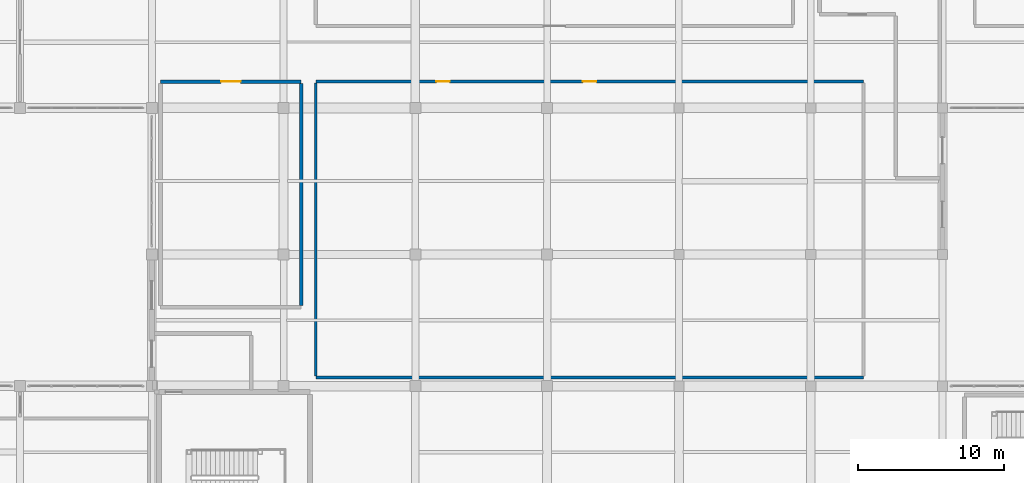
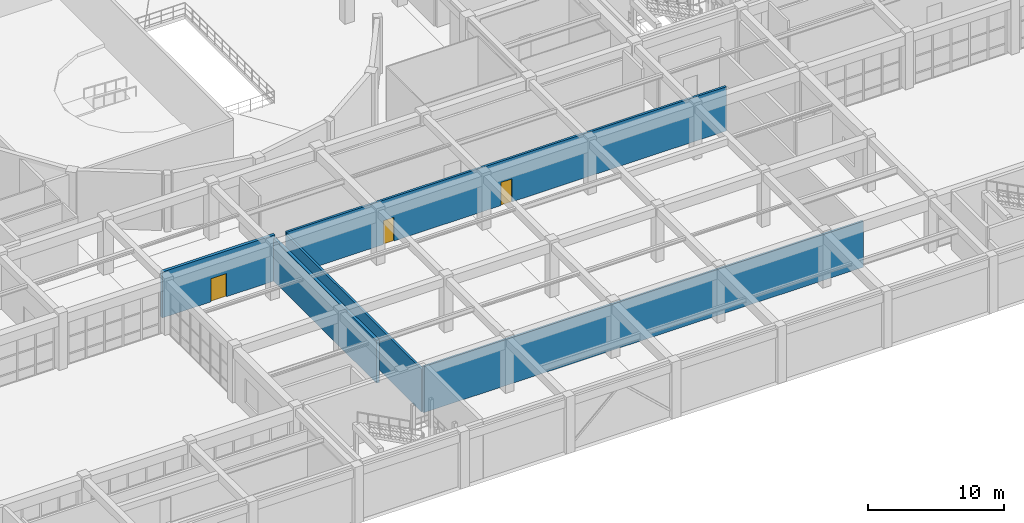
# One storey, part 103 of 128: 5 walls, 3 doors, 3 openings.
"""IFC4 building model written with IfcOpenShell, lengths in metres."""

from ifc_helpers import new_model, si_unit, direction, frame, frame_2d, origin, place, context, subcontext, project, spatial, rectangle, extrude, material, layer, layer_set, type_object, element, fill, save


model = new_model("IFC4")

# Units and contexts
model_context = context("Model", 3, precision=1e-05, world=origin(), true_north=direction((0.0, 1.0)))
body_context = subcontext(model_context, "Body", "Model", "MODEL_VIEW")
ifc_project = project(units=[si_unit("LENGTHUNIT", "METRE"), si_unit("AREAUNIT", "SQUARE_METRE"), si_unit("VOLUMEUNIT", "CUBIC_METRE"), si_unit("PLANEANGLEUNIT", "RADIAN"), si_unit("MASSUNIT", "GRAM", prefix="KILO")], contexts=[model_context])

# Site, building, storey
site_placement = place(None, origin())
site = spatial("IfcSite", under=ifc_project, at=site_placement, CompositionType="ELEMENT")
building_placement = place(site_placement, origin())
building = spatial("IfcBuilding", under=site, at=building_placement, Name="Miravela Opera House", CompositionType="ELEMENT")
storey_placement = place(building_placement, origin())
storey = spatial("IfcBuildingStorey", under=building, at=storey_placement, Name="L00", CompositionType="ELEMENT", Elevation=0.0)

# Wall
ifc_material_1 = material(Name="Corridor fire-resisting masonry partition", Category="masonry")
ifc_layer_1 = layer(ifc_material_1, 0.18994140625)
ifc_layer_set_1 = layer_set([ifc_layer_1])
wall_type_1 = type_object("IfcWallType", Name="ARC-PT-190", PredefinedType="PARTITIONING", material=ifc_layer_set_1)
wall_1_placement = place(storey_placement, frame((74.199951171875, 9.60009765625, 0.0), z_axis=(0.0, 0.0, 1.0), x_axis=(1.0, 0.0, 0.0)))
element("IfcWall", 1, at=wall_1_placement, inside=storey, type_object=wall_type_1, Name="Scenery Assembly Workshop Partition South", PredefinedType="PARTITIONING", context=body_context, shape_type="SweptSolid", body=[
    extrude(rectangle(XDim=37.400146484375, YDim=0.18994140625, at=frame_2d((18.7001953125, 0.0))), origin(), (0.0, 0.0, 1.0), 4.1298828125),
])

# Wall, openings, doors
wall_2_placement = place(storey_placement, frame((74.199951171875, 29.800048828125, 0.0), z_axis=(0.0, 0.0, 1.0), x_axis=(1.0, 0.0, 0.0)))
wall_2 = element("IfcWall", 2, at=wall_2_placement, inside=storey, type_object=wall_type_1, Name="Scenery Assembly Workshop Partition North", PredefinedType="PARTITIONING", context=body_context, shape_type="SweptSolid", body=[
    extrude(rectangle(XDim=37.400146484375, YDim=0.18994140625, at=frame_2d((18.7001953125, 0.0))), origin(), (0.0, 0.0, 1.0), 3.97998046875),
])
opening_1_placement = place(wall_2_placement, frame((18.239990234375, 0.0, 0.0)))
opening_1 = element("IfcOpeningElement", 3, at=opening_1_placement, cuts=wall_2, Name="Opening ID-10", PredefinedType="OPENING", context=body_context, shape_type="SweptSolid", body=[
    extrude(rectangle(XDim=0.919921875, YDim=2.080078125, at=frame_2d((0.4599609375, 1.0400390625))), frame((0.0, 0.10498046875, 0.0), z_axis=(0.0, -1.0, 0.0), x_axis=(1.0, 0.0, 0.0)), (0.0, 0.0, 1.0), 0.2099609375),
])
opening_2_placement = place(wall_2_placement, frame((8.22802734375, 0.0, 0.0)))
opening_2 = element("IfcOpeningElement", 4, at=opening_2_placement, cuts=wall_2, Name="Opening ID-11", PredefinedType="OPENING", context=body_context, shape_type="SweptSolid", body=[
    extrude(rectangle(XDim=0.919921875, YDim=2.139892578125, at=frame_2d((0.4599609375, 1.06982421875))), frame((0.0, 0.10498046875, 0.0), z_axis=(0.0, -1.0, 0.0), x_axis=(1.0, 0.0, 0.0)), (0.0, 0.0, 1.0), 0.2099609375),
])
ifc_material_2 = material(Name="Hardwood acoustic timber door leaf", Category="wood")
door_type_1 = type_object("IfcDoorType", Name="ARC-IDR-92X208", OperationType="NOTDEFINED", PredefinedType="DOOR", material=ifc_material_2)
door_1_placement = place(opening_1_placement, origin())
door_1 = element("IfcDoor", 5, at=door_1_placement, inside=storey, type_object=door_type_1, Name="Scenery Assembly Workshop Entry Door IDR-L00-0107", OperationType="SINGLE_SWING_RIGHT", OverallHeight=2.080078125, OverallWidth=0.919921875, PredefinedType="DOOR", context=body_context, shape_type="SweptSolid", body=[
    extrude(rectangle(XDim=0.919921875, YDim=2.080078125, at=frame_2d((0.4599609375, 1.0400390625))), frame((0.0, 0.02490234375, 0.0), z_axis=(0.0, -1.0, 0.0), x_axis=(1.0, 0.0, 0.0)), (0.0, 0.0, 1.0), 0.050048828125),
])
fill(opening_1, door_1)
door_type_2 = type_object("IfcDoorType", Name="ARC-IDR-92X214", OperationType="NOTDEFINED", PredefinedType="DOOR", material=ifc_material_2)
door_2_placement = place(opening_2_placement, origin())
door_2 = element("IfcDoor", 6, at=door_2_placement, inside=storey, type_object=door_type_2, Name="Scenery Assembly Workshop Secondary Exit Door IDR-L00-0108", OperationType="SINGLE_SWING_LEFT", OverallHeight=2.139892578125, OverallWidth=0.919921875, PredefinedType="DOOR", context=body_context, shape_type="SweptSolid", body=[
    extrude(rectangle(XDim=0.919921875, YDim=2.139892578125, at=frame_2d((0.4599609375, 1.06982421875))), frame((0.0, 0.02490234375, 0.0), z_axis=(0.0, -1.0, 0.0), x_axis=(1.0, 0.0, 0.0)), (0.0, 0.0, 1.0), 0.050048828125),
])
fill(opening_2, door_2)

# Wall
wall_3_placement = place(storey_placement, frame((74.199951171875, 9.695068359375, 0.0), z_axis=(0.0, 0.0, 1.0), x_axis=(0.0, 1.0, 0.0)))
element("IfcWall", 7, at=wall_3_placement, inside=storey, type_object=wall_type_1, Name="Scenery Assembly Workshop Partition West", PredefinedType="PARTITIONING", context=body_context, shape_type="SweptSolid", body=[
    extrude(rectangle(XDim=20.010009765625, YDim=0.18994140625, at=frame_2d((10.0048828125, 0.0))), origin(), (0.0, 0.0, 1.0), 3.830078125),
])

# Wall, opening, door
ifc_material_3 = material(Name="Firefighting lobby compartment wall")
ifc_layer_2 = layer(ifc_material_3, 0.25)
ifc_layer_set_2 = layer_set([ifc_layer_2])
wall_type_2 = type_object("IfcWallType", Name="ARC-PT-220", PredefinedType="PARTITIONING", material=ifc_layer_set_2)
wall_4_placement = place(storey_placement, frame((63.60009765625, 29.800048828125, 0.0), z_axis=(0.0, 0.0, 1.0), x_axis=(1.0, 0.0, 0.0)))
wall_4 = element("IfcWall", 8, at=wall_4_placement, inside=storey, type_object=wall_type_2, Name="Stage Footwear and Leather Workshop Partition North", PredefinedType="PARTITIONING", context=body_context, shape_type="SweptSolid", body=[
    extrude(rectangle(XDim=9.599853515625, YDim=0.25, at=frame_2d((4.7998046875, 0.0))), origin(), (0.0, 0.0, 1.0), 4.1298828125),
])
opening_3_placement = place(wall_4_placement, frame((4.139892578125, 0.0, 0.0)))
opening_3 = element("IfcOpeningElement", 9, at=opening_3_placement, cuts=wall_4, Name="Opening ID-31", PredefinedType="OPENING", context=body_context, shape_type="SweptSolid", body=[
    extrude(rectangle(XDim=1.320068359375, YDim=2.080078125, at=frame_2d((0.66015625, 1.0400390625))), frame((0.0, 0.135009765625, 0.0), z_axis=(0.0, -1.0, 0.0), x_axis=(1.0, 0.0, 0.0)), (0.0, 0.0, 1.0), 0.27001953125),
])
door_type_3 = type_object("IfcDoorType", Name="ARC-IDR-132X208", OperationType="NOTDEFINED", PredefinedType="DOOR", material=ifc_material_2)
door_3_placement = place(opening_3_placement, origin())
door_3 = element("IfcDoor", 10, at=door_3_placement, inside=storey, type_object=door_type_3, Name="Stage Footwear and Leather Workshop Entry Door IDR-L00-0134", OperationType="SINGLE_SWING_LEFT", OverallHeight=2.080078125, OverallWidth=1.320068359375, PredefinedType="DOOR", context=body_context, shape_type="SweptSolid", body=[
    extrude(rectangle(XDim=1.320068359375, YDim=2.080078125, at=frame_2d((0.66015625, 1.0400390625))), frame((0.0, 0.02490234375, 0.0), z_axis=(0.0, -1.0, 0.0), x_axis=(1.0, 0.0, 0.0)), (0.0, 0.0, 1.0), 0.050048828125),
])
fill(opening_3, door_3)

# Wall
wall_5_placement = place(storey_placement, frame((73.199951171875, 14.52490234375, 0.0), z_axis=(0.0, 0.0, 1.0), x_axis=(0.0, 1.0, 0.0)))
element("IfcWall", 11, at=wall_5_placement, inside=storey, type_object=wall_type_2, Name="Stage Footwear and Leather Workshop Partition East", PredefinedType="PARTITIONING", context=body_context, shape_type="SweptSolid", body=[
    extrude(rectangle(XDim=15.150146484375, YDim=0.25, at=frame_2d((7.5751953125, 0.0))), origin(), (0.0, 0.0, 1.0), 3.830078125),
])

save(model, "model.ifc")
